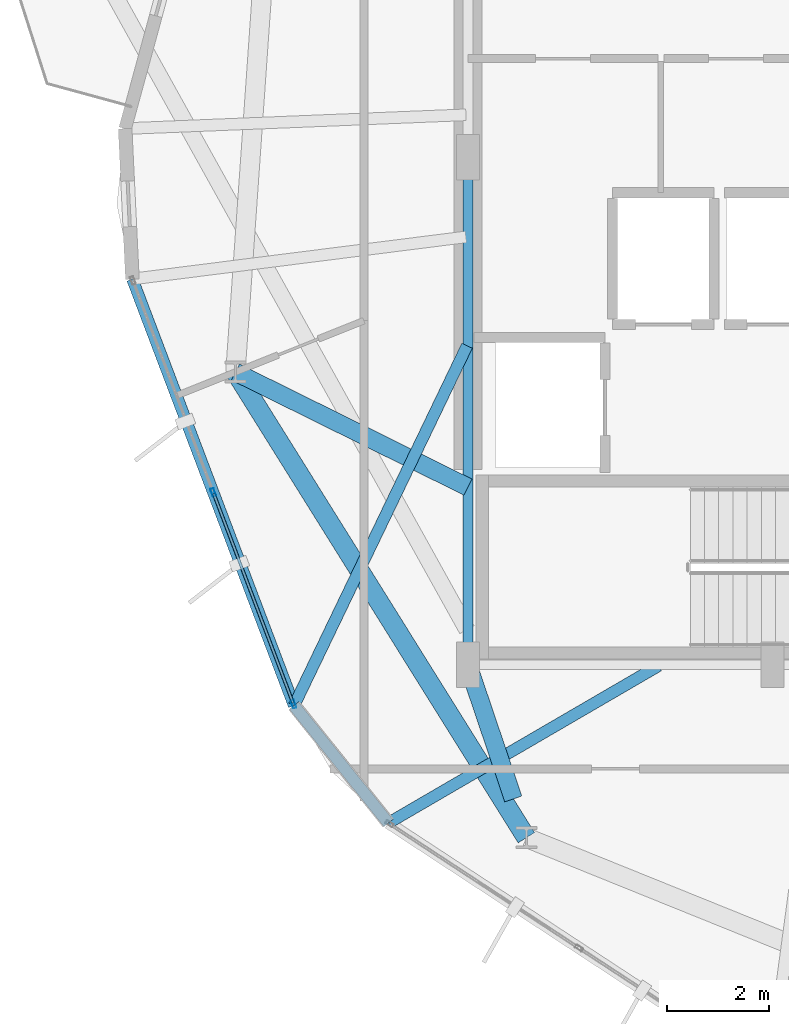
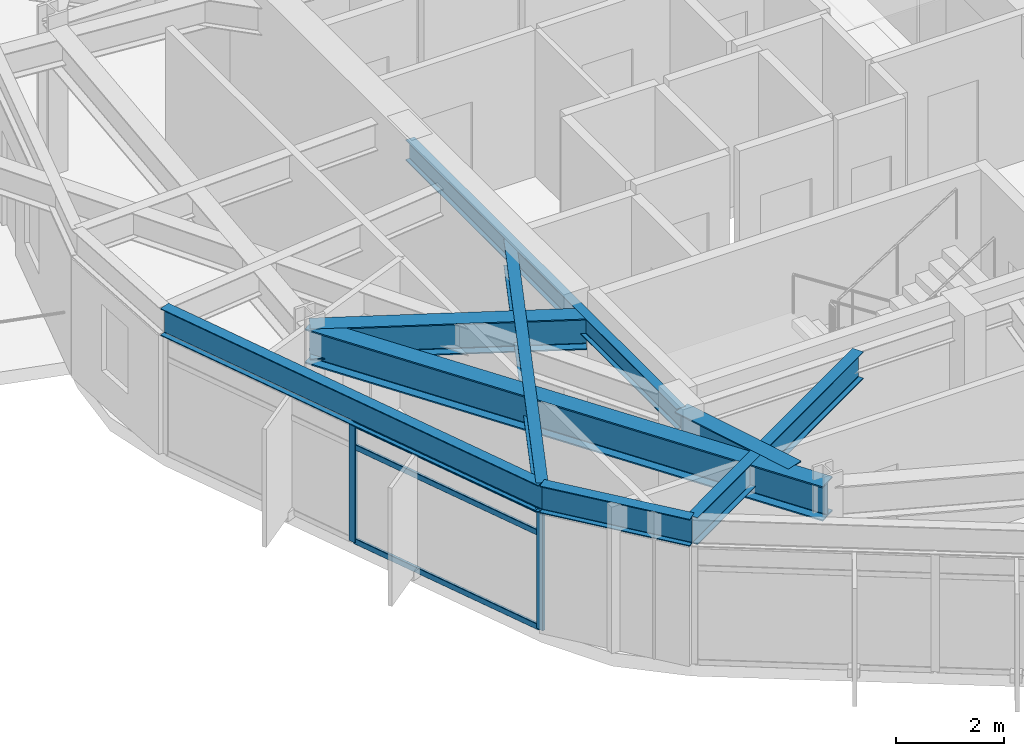
# One storey, part 3 of 23: 8 beams, 5 members, 1 element without a shape of its own.
"""IFC4 building model written with IfcOpenShell, lengths in metres."""

from ifc_helpers import new_model, si_unit, direction, frame, origin, origin_2d, place, context, subcontext, project, spatial, hollow_rectangle, i_section, extrude, material, layer, layer_set, material_profile, profile_set, type_object, element, aggregate, save


model = new_model("IFC4")

# Units and contexts
model_context = context("Model", 3, precision=1e-05, world=origin(), true_north=direction((0.0, 1.0)))
body_context = subcontext(model_context, "Body", "Model", "MODEL_VIEW")
ifc_project = project(units=[si_unit("LENGTHUNIT", "METRE"), si_unit("AREAUNIT", "SQUARE_METRE"), si_unit("VOLUMEUNIT", "CUBIC_METRE"), si_unit("PLANEANGLEUNIT", "RADIAN"), si_unit("MASSUNIT", "GRAM", prefix="KILO")], contexts=[model_context])

# Site, building, storey
site_placement = place(None, origin())
site = spatial("IfcSite", under=ifc_project, at=site_placement, CompositionType="ELEMENT")
building_placement = place(site_placement, origin())
building = spatial("IfcBuilding", under=site, at=building_placement, Name="Soratama Intermodal Tower", CompositionType="ELEMENT")
storey_placement = place(building_placement, frame((0.0, 0.0, 175.0)))
storey = spatial("IfcBuildingStorey", under=building, at=storey_placement, Name="L43", CompositionType="ELEMENT", Elevation=175.0)

# Beams
ifc_material_1 = material(Name="Structural steel ASTM A992 Grade 50", Category="steel")
ifc_material_profile_1 = material_profile(ifc_material_1, i_section(OverallWidth=0.19091796875, OverallDepth=0.4599609375, WebThickness=0.010009765625, FlangeThickness=0.01611328125, FilletRadius=0.010986328125, at=origin_2d()), Name="W18X55")
ifc_profile_set_1 = profile_set([ifc_material_profile_1], Name="Structural steel ASTM A992 Grade 50")
beam_type_1 = type_object("IfcBeamType", Name="BM-FLR-W18X55", PredefinedType="BEAM", material=ifc_profile_set_1)
beam_1_placement = place(storey_placement, frame((32.60009765625, 25.0, 3.070068359375), z_axis=(0.0, -1.0, 0.0), x_axis=(1.0, 0.0, 0.0)))
element("IfcBeam", 1, at=beam_1_placement, inside=storey, type_object=beam_type_1, Name="BM-L43-CRING-09", PredefinedType="BEAM", context=body_context, shape_type="SweptSolid", body=[
    extrude(i_section(OverallWidth=0.19091796875, OverallDepth=0.4599609375, WebThickness=0.010009765625, FlangeThickness=0.01611328125, FilletRadius=0.010986328125, at=origin_2d()), origin(), (0.0, 0.0, 1.0), 10.0),
])
ifc_material_2 = material(Name="Structural steel ASTM A992 Grade 50", Category="steel")
ifc_material_profile_2 = material_profile(ifc_material_2, i_section(OverallWidth=0.35498046875, OverallDepth=0.695068359375, WebThickness=0.015380859375, FlangeThickness=0.02490234375, FilletRadius=0.01611328125, at=origin_2d()), Name="W27X146")
ifc_profile_set_2 = profile_set([ifc_material_profile_2], Name="Structural steel ASTM A992 Grade 50")
beam_type_2 = type_object("IfcBeamType", Name="BM-RING-W27X146", PredefinedType="BEAM", material=ifc_profile_set_2)
beam_2_placement = place(storey_placement, frame((32.60009765625, 18.5, 2.952392578125), z_axis=(-0.89629219718, 0.443463975172, 0.0), x_axis=(-0.443463975172, -0.89629219718, 0.0)))
element("IfcBeam", 2, at=beam_2_placement, inside=storey, type_object=beam_type_2, Name="BM-L43-RAD-06", PredefinedType="BEAM", context=body_context, shape_type="SweptSolid", body=[
    extrude(i_section(OverallWidth=0.35498046875, OverallDepth=0.695068359375, WebThickness=0.015380859375, FlangeThickness=0.02490234375, FilletRadius=0.01611328125, at=origin_2d()), origin(), (0.0, 0.0, 1.0), 5.110107421875),
])
beam_3_placement = place(storey_placement, frame((32.60009765625, 15.0, 2.952392578125), z_axis=(0.32013816754, -0.947370863856, 0.0), x_axis=(0.947370863856, 0.32013816754, 0.0)))
element("IfcBeam", 3, at=beam_3_placement, inside=storey, type_object=beam_type_2, Name="BM-L43-RAD-07", PredefinedType="BEAM", context=body_context, shape_type="SweptSolid", body=[
    extrude(i_section(OverallWidth=0.35498046875, OverallDepth=0.695068359375, WebThickness=0.015380859375, FlangeThickness=0.02490234375, FilletRadius=0.01611328125, at=origin_2d()), origin(), (0.0, 0.0, 1.0), 2.788818359375),
])
ifc_material_3 = material(Name="Structural steel ASTM A992 Grade 50", Category="steel")
ifc_material_profile_3 = material_profile(ifc_material_3, i_section(OverallWidth=0.382080078125, OverallDepth=0.779052734375, WebThickness=0.01806640625, FlangeThickness=0.030029296875, FilletRadius=0.01806640625, at=origin_2d()), Name="W30X191")
ifc_profile_set_3 = profile_set([ifc_material_profile_3], Name="Structural steel ASTM A992 Grade 50")
beam_type_3 = type_object("IfcBeamType", Name="BM-RING-W30X191", PredefinedType="BEAM", material=ifc_profile_set_3)
beam_4_placement = place(storey_placement, frame((28.02001953125, 20.76611328125, 2.910400390625), z_axis=(0.529891394359, -0.84806551055, 0.0), x_axis=(0.84806551055, 0.529891394359, 0.0)))
element("IfcBeam", 4, at=beam_4_placement, inside=storey, type_object=beam_type_3, Name="BM-L43-RING-06", PredefinedType="BEAM", context=body_context, shape_type="SweptSolid", body=[
    extrude(i_section(OverallWidth=0.382080078125, OverallDepth=0.779052734375, WebThickness=0.01806640625, FlangeThickness=0.030029296875, FilletRadius=0.01806640625, at=origin_2d()), origin(), (0.0, 0.0, 1.0), 10.8154296875),
])
ifc_material_4 = material(Name="Structural steel ASTM A992 Grade 50", Category="steel")
ifc_material_profile_4 = material_profile(ifc_material_4, i_section(OverallWidth=0.22900390625, OverallDepth=0.612060546875, WebThickness=0.011962890625, FlangeThickness=0.01953125, FilletRadius=0.012939453125, at=origin_2d()), Name="W24X84")
ifc_profile_set_4 = profile_set([ifc_material_profile_4], Name="Structural steel ASTM A992 Grade 50")
beam_type_4 = type_object("IfcBeamType", Name="BM-SPN-W24X84", PredefinedType="SPANDREL", material=ifc_profile_set_4)
beam_5_placement = place(storey_placement, frame((25.989013671875, 22.59912109375, 2.993896484375), z_axis=(0.354429003549, -0.935082927576, 0.0), x_axis=(0.935082927576, 0.354429003549, 0.0)))
element("IfcBeam", 5, at=beam_5_placement, inside=storey, type_object=beam_type_4, Name="BS-L43-F05", PredefinedType="SPANDREL", context=body_context, shape_type="SweptSolid", body=[
    extrude(i_section(OverallWidth=0.22900390625, OverallDepth=0.612060546875, WebThickness=0.011962890625, FlangeThickness=0.01953125, FilletRadius=0.012939453125, at=origin_2d()), origin(), (0.0, 0.0, 1.0), 8.986572265625),
])
beam_6_placement = place(storey_placement, frame((29.174072265625, 14.196044921875, 2.993896484375), z_axis=(0.62623930099, -0.7796308985, 0.0), x_axis=(0.7796308985, 0.62623930099, 0.0)))
element("IfcBeam", 6, at=beam_6_placement, inside=storey, type_object=beam_type_4, Name="BS-L43-CRN05", PredefinedType="SPANDREL", context=body_context, shape_type="SweptSolid", body=[
    extrude(i_section(OverallWidth=0.22900390625, OverallDepth=0.612060546875, WebThickness=0.011962890625, FlangeThickness=0.01953125, FilletRadius=0.012939453125, at=origin_2d()), origin(), (0.0, 0.0, 1.0), 2.966796875),
])
ifc_material_5 = material(Name="Structural steel ASTM A992 Grade 50", Category="steel")
ifc_material_profile_5 = material_profile(ifc_material_5, i_section(OverallWidth=0.22900390625, OverallDepth=0.612060546875, WebThickness=0.011962890625, FlangeThickness=0.01953125, FilletRadius=0.012939453125, at=origin_2d()), Name="W24X84")
ifc_profile_set_5 = profile_set([ifc_material_profile_5], Name="Structural steel ASTM A992 Grade 50")
beam_type_5 = type_object("IfcBeamType", Name="BM-TIE-W24X84", PredefinedType="BEAM", material=ifc_profile_set_5)
beam_7_placement = place(storey_placement, frame((32.5830078125, 21.284912109375, 2.993896484375), z_axis=(-0.433379761032, -0.901211397358, 0.0), x_axis=(0.901211397358, -0.433379761032, 0.0)))
element("IfcBeam", 7, at=beam_7_placement, inside=storey, type_object=beam_type_5, Name="BM-L43-TIE1-05", PredefinedType="BEAM", context=body_context, shape_type="SweptSolid", body=[
    extrude(i_section(OverallWidth=0.22900390625, OverallDepth=0.612060546875, WebThickness=0.011962890625, FlangeThickness=0.01953125, FilletRadius=0.012939453125, at=origin_2d()), origin(), (0.0, 0.0, 1.0), 7.865966796875),
])
beam_8_placement = place(storey_placement, frame((36.35302734375, 14.97998046875, 2.993896484375), z_axis=(-0.864274679758, -0.503020156583, 0.0), x_axis=(0.503020156583, -0.864274679758, 0.0)))
element("IfcBeam", 8, at=beam_8_placement, inside=storey, type_object=beam_type_5, Name="BM-L43-TIE0-06", PredefinedType="BEAM", context=body_context, shape_type="SweptSolid", body=[
    extrude(i_section(OverallWidth=0.22900390625, OverallDepth=0.612060546875, WebThickness=0.011962890625, FlangeThickness=0.01953125, FilletRadius=0.012939453125, at=origin_2d()), origin(), (0.0, 0.0, 1.0), 6.15673828125),
])

# Curtain wall, members
ifc_material_6 = material(Name="Double-glazed aluminium curtain wall", Category="aluminium")
ifc_layer = layer(ifc_material_6, 0.159912109375)
ifc_layer_set = layer_set([ifc_layer], Name="Double-glazed aluminium curtain wall")
curtain_wall_type = type_object("IfcCurtainWallType", Name="CW-SYS-4", PredefinedType="NOTDEFINED", material=ifc_layer_set)
curtain_wall_placement = place(storey_placement, origin())
curtain_wall = element("IfcCurtainWall", 9, at=curtain_wall_placement, inside=storey, type_object=curtain_wall_type, Name="L43 Faceted Curtain Wall F05", PredefinedType="NOTDEFINED")
ifc_material_7 = material(Name="Anodised aluminium AA 6063-T6", Category="aluminium")
ifc_material_profile_6 = material_profile(ifc_material_7, hollow_rectangle(XDim=0.070068359375, YDim=0.159912109375, WallThickness=0.0048828125, InnerFilletRadius=0.0048828125, OuterFilletRadius=0.010009765625, at=origin_2d()), Name="CWM160X70X5")
ifc_profile_set_6 = profile_set([ifc_material_profile_6], Name="Anodised aluminium AA 6063-T6")
member_type_1 = type_object("IfcMemberType", Name="MT-CWM-4", PredefinedType="MULLION", material=ifc_profile_set_6)
member_1_placement = place(storey_placement, frame((27.581787109375, 18.3974609375, 0.0), z_axis=(0.0, 0.0, 1.0), x_axis=(0.935070549002, 0.354461659972, 0.0)))
member_1 = element("IfcMember", 10, at=member_1_placement, type_object=member_type_1, Name="CW-4 mullion 2", PredefinedType="MULLION", context=body_context, shape_type="SweptSolid", body=[
    extrude(hollow_rectangle(XDim=0.070068359375, YDim=0.159912109375, WallThickness=0.0048828125, InnerFilletRadius=0.0048828125, OuterFilletRadius=0.010009765625, at=origin_2d()), origin(), (0.0, 0.0, 1.0), 2.678955078125),
])
member_2_placement = place(storey_placement, frame((29.16357421875, 14.224365234375, 0.0), z_axis=(0.0, 0.0, 1.0), x_axis=(0.935070549002, 0.354461659972, 0.0)))
member_2 = element("IfcMember", 11, at=member_2_placement, type_object=member_type_1, Name="CW-4 mullion 3", PredefinedType="MULLION", context=body_context, shape_type="SweptSolid", body=[
    extrude(hollow_rectangle(XDim=0.070068359375, YDim=0.159912109375, WallThickness=0.0048828125, InnerFilletRadius=0.0048828125, OuterFilletRadius=0.010009765625, at=origin_2d()), origin(), (0.0, 0.0, 1.0), 2.678955078125),
])
ifc_material_8 = material(Name="Anodised aluminium AA 6063-T6", Category="aluminium")
ifc_material_profile_7 = material_profile(ifc_material_8, hollow_rectangle(XDim=0.06005859375, YDim=0.1298828125, WallThickness=0.0048828125, InnerFilletRadius=0.0048828125, OuterFilletRadius=0.010009765625, at=origin_2d()), Name="CWT130X60X5")
ifc_profile_set_7 = profile_set([ifc_material_profile_7], Name="Anodised aluminium AA 6063-T6")
member_type_2 = type_object("IfcMemberType", Name="TT-CWT-2", PredefinedType="USERDEFINED", material=ifc_profile_set_7)
member_3_placement = place(storey_placement, frame((27.59228515625, 18.369384765625, 0.030029296875), z_axis=(0.354475377991, -0.935065348731, 0.0), x_axis=(0.935065348731, 0.354475377991, 0.0)))
member_3 = element("IfcMember", 12, at=member_3_placement, type_object=member_type_2, Name="CW-4 transom 2.1", ObjectType="TRANSOM", PredefinedType="USERDEFINED", context=body_context, shape_type="SweptSolid", body=[
    extrude(hollow_rectangle(XDim=0.06005859375, YDim=0.1298828125, WallThickness=0.0048828125, InnerFilletRadius=0.0048828125, OuterFilletRadius=0.010009765625, at=origin_2d()), origin(), (0.0, 0.0, 1.0), 4.403076171875),
])
member_4_placement = place(storey_placement, frame((27.59228515625, 18.369384765625, 2.14990234375), z_axis=(0.354475377991, -0.935065348731, 0.0), x_axis=(0.935065348731, 0.354475377991, 0.0)))
member_4 = element("IfcMember", 13, at=member_4_placement, type_object=member_type_2, Name="CW-4 transom 2.2", ObjectType="TRANSOM", PredefinedType="USERDEFINED", context=body_context, shape_type="SweptSolid", body=[
    extrude(hollow_rectangle(XDim=0.06005859375, YDim=0.1298828125, WallThickness=0.0048828125, InnerFilletRadius=0.0048828125, OuterFilletRadius=0.010009765625, at=origin_2d()), origin(), (0.0, 0.0, 1.0), 4.403076171875),
])
member_5_placement = place(storey_placement, frame((27.59228515625, 18.369384765625, 2.64892578125), z_axis=(0.354475377991, -0.935065348731, 0.0), x_axis=(0.935065348731, 0.354475377991, 0.0)))
member_5 = element("IfcMember", 14, at=member_5_placement, type_object=member_type_2, Name="CW-4 transom 2.3", ObjectType="TRANSOM", PredefinedType="USERDEFINED", context=body_context, shape_type="SweptSolid", body=[
    extrude(hollow_rectangle(XDim=0.06005859375, YDim=0.1298828125, WallThickness=0.0048828125, InnerFilletRadius=0.0048828125, OuterFilletRadius=0.010009765625, at=origin_2d()), origin(), (0.0, 0.0, 1.0), 4.403076171875),
])
aggregate(curtain_wall, [member_1, member_2, member_3, member_4, member_5])

save(model, "model.ifc")
